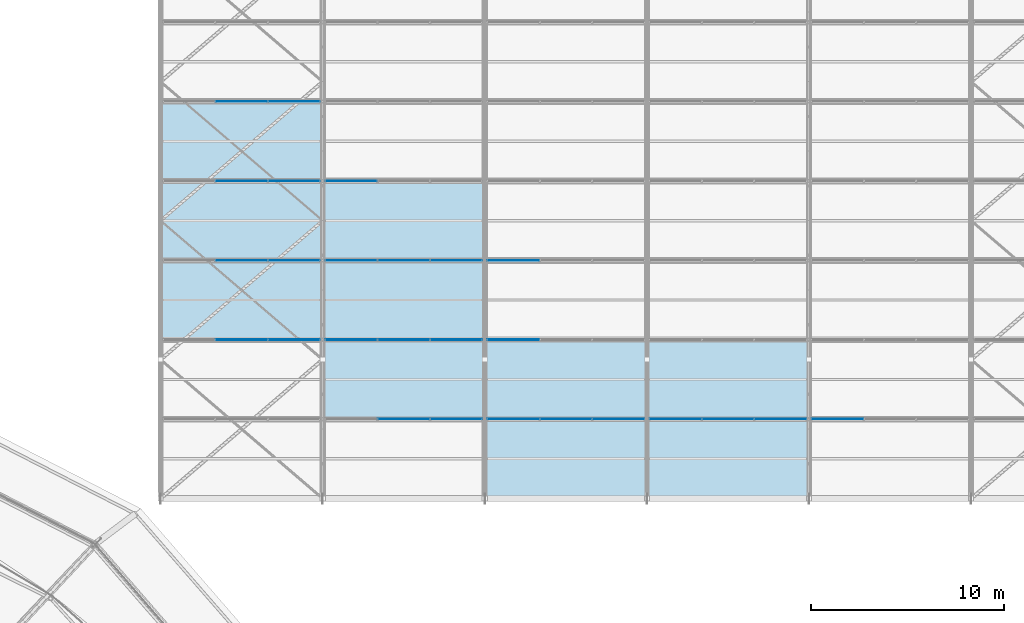
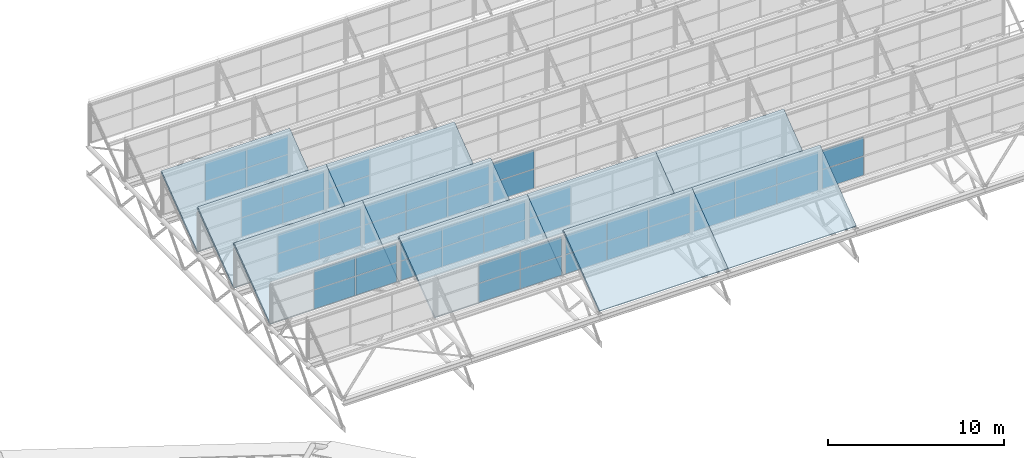
# One storey, part 106 of 134: 52 plates, 10 slabs, 13 elements without a shape of their own.
"""IFC4 building model written with IfcOpenShell, lengths in metres."""

import ifcopenshell
import ifcopenshell.guid

model = None  # the IFC model being written
_history = None  # IfcOwnerHistory: only IFC2X3 demands one
_inside = {}  # id of a spatial element -> (the spatial element, [elements in it])
_under = {}  # id of a project, library or spatial element -> (it, [spatial elements below it])
_declared = {}  # id of a project -> (the project, [libraries it declares])
_typed = {}  # id of a type object -> (the type object, [elements of that type])
_made_of = {}  # id of a material, layer set ... -> (it, [elements and type objects made of it])


def new_model(schema):
    """Start an empty IFC model of exactly this schema.

    Asked for "IFC4X3", IfcOpenShell would pick the latest addendum, in which some entities
    have other attributes; the version numbers below select the first issue.
    IFC2X3 requires an IfcOwnerHistory on every rooted entity: one is made here for all.
    """
    global model, _history
    if schema == "IFC4X3":
        model = ifcopenshell.file(schema_version=(4, 3, 0, 0))
    else:
        model = ifcopenshell.file(schema=schema)
    _inside.clear()
    _under.clear()
    _declared.clear()
    _typed.clear()
    _made_of.clear()
    _history = None
    if model.schema == "IFC2X3":
        org = make("IfcOrganization", Name="unknown")
        user = make(
            "IfcPersonAndOrganization",
            ThePerson=make("IfcPerson", FamilyName="unknown"),
            TheOrganization=org,
        )
        app = make(
            "IfcApplication",
            ApplicationDeveloper=org,
            Version="unknown",
            ApplicationFullName="unknown",
            ApplicationIdentifier="unknown",
        )
        _history = make(
            "IfcOwnerHistory",
            OwningUser=user,
            OwningApplication=app,
            ChangeAction="ADDED",
            CreationDate=0,
        )
    return model


def make(cls, **values):
    """One entity of the class cls with the attributes given. An attribute that is None is left unset."""
    return model.create_entity(
        cls, **{name: value for name, value in values.items() if value is not None}
    )


def rooted(cls, **values):
    """An entity with a GlobalId (a new one), such as an element, a storey or a relation."""
    return make(cls, GlobalId=ifcopenshell.guid.new(), OwnerHistory=_history, **values)


def si_unit(unit_type, name, prefix=None):
    """IfcSIUnit, for example si_unit("LENGTHUNIT", "METRE", prefix="MILLI")."""
    return make("IfcSIUnit", UnitType=unit_type, Prefix=prefix, Name=name)


def derived_unit(unit_type, elements):
    """IfcDerivedUnit: a product of units, each with its exponent."""
    return make(
        "IfcDerivedUnit",
        Elements=[
            make("IfcDerivedUnitElement", Unit=unit, Exponent=power)
            for unit, power in elements
        ],
        UnitType=unit_type,
    )


def assignment(units):
    """IfcUnitAssignment: the units of a project."""
    return None if units is None else make("IfcUnitAssignment", Units=units)


def point(xyz):
    """IfcCartesianPoint."""
    return None if xyz is None else make("IfcCartesianPoint", Coordinates=xyz)


def direction(xyz):
    """IfcDirection."""
    return None if xyz is None else make("IfcDirection", DirectionRatios=xyz)


def frame(location, z_axis=None, x_axis=None):
    """IfcAxis2Placement3D, a coordinate frame: its origin and axes. An axis left out is left unset."""
    return make(
        "IfcAxis2Placement3D",
        Location=point(location),
        Axis=direction(z_axis),
        RefDirection=direction(x_axis),
    )


def frame_2d(location, x_axis=None):
    """IfcAxis2Placement2D, a coordinate frame in the plane: its origin and x axis."""
    return make(
        "IfcAxis2Placement2D", Location=point(location), RefDirection=direction(x_axis)
    )


def origin():
    """The frame at (0, 0, 0) with its axes left unset."""
    return frame((0.0, 0.0, 0.0))


def origin_2d():
    """The frame at (0, 0) in the plane with its x axis left unset."""
    return frame_2d((0.0, 0.0))


def place(relative_to, where):
    """IfcLocalPlacement: puts the frame where relative to a parent placement (None: the world)."""
    return make(
        "IfcLocalPlacement", PlacementRelTo=relative_to, RelativePlacement=where
    )


def context(
    kind, dimensions, precision=None, world=None, true_north=None, identifier=None
):
    """IfcGeometricRepresentationContext, for example the 3D "Model" context."""
    return make(
        "IfcGeometricRepresentationContext",
        ContextIdentifier=identifier,
        ContextType=kind,
        CoordinateSpaceDimension=dimensions,
        Precision=precision,
        WorldCoordinateSystem=world,
        TrueNorth=true_north,
    )


def subcontext(parent, identifier, kind, view, scale=None):
    """IfcGeometricRepresentationSubContext, for example "Body" below "Model"."""
    return make(
        "IfcGeometricRepresentationSubContext",
        ContextIdentifier=identifier,
        ContextType=kind,
        ParentContext=parent,
        TargetScale=scale,
        TargetView=view,
    )


def project(units=None, contexts=None):
    """IfcProject with its units and contexts."""
    return rooted(
        "IfcProject",
        Name="project",
        RepresentationContexts=contexts,
        UnitsInContext=assignment(units),
    )


def spatial(cls, under=None, at=None, **own):
    """A site, building, storey or space (cls), placed at a placement, below another one or the project."""
    s = rooted(cls, ObjectPlacement=at, **own)
    if under is not None:
        _under.setdefault(under.id(), (under, []))[1].append(s)
    return s


def polyline(points):
    """IfcPolyline through the points."""
    return make("IfcPolyline", Points=[point(p) for p in points])


def profile(cls, at=None, kind="AREA", **sizes):
    """A parametric profile (cls). Its sizes go by their IFC names, for example OverallWidth=200.0."""
    return make(cls, ProfileType=kind, Position=at, **sizes)


def rectangle(**sizes):
    """IfcRectangleProfileDef."""
    return profile("IfcRectangleProfileDef", **sizes)


def outline(outer, holes=None, kind="AREA"):
    """IfcArbitraryClosedProfileDef: a profile drawn as a closed curve; with holes, ...WithVoids."""
    if holes is None:
        return make("IfcArbitraryClosedProfileDef", ProfileType=kind, OuterCurve=outer)
    return make(
        "IfcArbitraryProfileDefWithVoids",
        ProfileType=kind,
        OuterCurve=outer,
        InnerCurves=holes,
    )


def extrude(swept, where, along, depth):
    """IfcExtrudedAreaSolid: the profile swept, set in the frame where, extruded along a direction by depth."""
    return make(
        "IfcExtrudedAreaSolid",
        SweptArea=swept,
        Position=where,
        ExtrudedDirection=direction(along),
        Depth=depth,
    )


def shape(context_of_items, identifier, shape_type, items):
    """IfcShapeRepresentation: the items that make up one representation, for example the "Body"."""
    return make(
        "IfcShapeRepresentation",
        ContextOfItems=context_of_items,
        RepresentationIdentifier=identifier,
        RepresentationType=shape_type,
        Items=items,
    )


def material(Name=None, Category=None):
    """IfcMaterial."""
    return make("IfcMaterial", Name=Name, Category=Category)


def layer(
    of_material, thickness, ventilated=None, Name=None, Category=None, Priority=None
):
    """IfcMaterialLayer: one layer of a wall or slab, of a material (None: an air gap)."""
    return make(
        "IfcMaterialLayer",
        Material=of_material,
        LayerThickness=thickness,
        IsVentilated=ventilated,
        Name=Name,
        Category=Category,
        Priority=Priority,
    )


def layer_set(layers, Name=None):
    """IfcMaterialLayerSet."""
    return make("IfcMaterialLayerSet", MaterialLayers=layers, LayerSetName=Name)


def made_of(thing, what):
    """Note that an element or type object is made of a material, layer set ...; save() writes the relation."""
    if what is not None:
        _made_of.setdefault(what.id(), (what, []))[1].append(thing)
    return thing


def type_object(cls, material=None, **own):
    """A type object (cls), such as IfcWallType, which elements share."""
    return made_of(rooted(cls, **own), material)


def element(
    cls,
    number,
    at=None,
    inside=None,
    cuts=None,
    type_object=None,
    material=None,
    context=None,
    identifier="Body",
    shape_type=None,
    held_by="IfcProductDefinitionShape",
    body=None,
    shapes=None,
    **own,
):
    """One element of the class cls, such as IfcWall. Its Tag is "e" and its number.

    at: its placement. inside: the storey or other place that contains it. cuts: it is an
    opening in that element (IfcRelVoidsElement). A single representation is given by context,
    identifier, shape_type and body (its items); several are given by shapes. held_by: the class
    of the entity that holds the representations. save() writes the other relations.
    """
    e = rooted(cls, Tag="e%d" % number, ObjectPlacement=at, **own)
    if body is not None:
        shapes = [shape(context, identifier, shape_type, body)]
    if shapes is not None:
        e.Representation = make(held_by, Representations=shapes)
    if inside is not None:
        _inside.setdefault(inside.id(), (inside, []))[1].append(e)
    if cuts is not None:
        rooted(
            "IfcRelVoidsElement", RelatingBuildingElement=cuts, RelatedOpeningElement=e
        )
    if type_object is not None:
        _typed.setdefault(type_object.id(), (type_object, []))[1].append(e)
    return made_of(e, material)


def aggregate(whole, parts):
    """IfcRelAggregates: a whole, such as a stair, and the parts it consists of."""
    return rooted("IfcRelAggregates", RelatingObject=whole, RelatedObjects=parts)


def save(model, path):
    """Write the relations noted so far, then the file.

    IfcRelAggregates (storeys below a building ...), IfcRelContainedInSpatialStructure (elements
    in a storey), IfcRelDefinesByType, IfcRelAssociatesMaterial and IfcRelDeclares: one each for
    every whole, place, type object, material and project.
    """
    for whole, parts in _under.values():
        aggregate(whole, parts)
    for where, things in _inside.values():
        rooted(
            "IfcRelContainedInSpatialStructure",
            RelatedElements=things,
            RelatingStructure=where,
        )
    for kind, things in _typed.values():
        rooted("IfcRelDefinesByType", RelatedObjects=things, RelatingType=kind)
    for what, things in _made_of.values():
        rooted("IfcRelAssociatesMaterial", RelatedObjects=things, RelatingMaterial=what)
    for by, libraries in _declared.values():
        rooted("IfcRelDeclares", RelatingContext=by, RelatedDefinitions=libraries)
    model.write(path)


model = new_model("IFC4")

# Units and contexts
model_context = context("Model", 3, precision=1e-05, world=origin(), true_north=direction((0.0, 1.0)))
body_context = subcontext(model_context, "Body", "Model", "MODEL_VIEW")
ifc_project = project(units=[si_unit("LENGTHUNIT", "METRE"), si_unit("AREAUNIT", "SQUARE_METRE"), si_unit("VOLUMEUNIT", "CUBIC_METRE"), si_unit("PLANEANGLEUNIT", "RADIAN"), si_unit("MASSUNIT", "GRAM", prefix="KILO"), derived_unit("THERMALTRANSMITTANCEUNIT", [(si_unit("MASSUNIT", "GRAM", prefix="KILO"), 1), (si_unit("TIMEUNIT", "SECOND"), -3), (si_unit("THERMODYNAMICTEMPERATUREUNIT", "KELVIN"), -1)])], contexts=[model_context])

# Site, building, storey
site_placement = place(None, origin())
site = spatial("IfcSite", under=ifc_project, at=site_placement, CompositionType="ELEMENT")
building_placement = place(site_placement, origin())
building = spatial("IfcBuilding", under=site, at=building_placement, Name="Kharveza Railside Sports Centre", CompositionType="ELEMENT")
storey_placement = place(building_placement, frame((0.0, 0.0, 12.89990234375)))
storey = spatial("IfcBuildingStorey", under=building, at=storey_placement, Name="L03", CompositionType="ELEMENT", Elevation=12.89990234375)

# Curtain wall, plates
ifc_material_1 = material(Name="Low-E solar-control laminated glass", Category="glass")
curtain_wall_type = type_object("IfcCurtainWallType", Name="CW-NL02", PredefinedType="NOTDEFINED", material=ifc_material_1)
curtain_wall_1_placement = place(storey_placement, origin())
curtain_wall_1 = element("IfcCurtainWall", 1, at=curtain_wall_1_placement, inside=storey, type_object=curtain_wall_type, Name="CW-V2NL-1-2", PredefinedType="NOTDEFINED")
ifc_layer_1 = layer(ifc_material_1, 0.033935546875, Name="Low-E solar-control laminated glass")
ifc_layer_set_1 = layer_set([ifc_layer_1], Name="Low-E solar-control laminated glass")
plate_type = type_object("IfcPlateType", Name="PL-CP06", PredefinedType="CURTAIN_PANEL", material=ifc_layer_set_1)
plate_1_placement = place(storey_placement, frame((105.0, 83.314208984375, 2.219970703125), z_axis=(0.0, 0.0, 1.0), x_axis=(1.0, 0.0, 0.0)))
plate_1 = element("IfcPlate", 2, at=plate_1_placement, type_object=plate_type, Name="CW-V2NL-1-2-PN21", PredefinedType="CURTAIN_PANEL", context=body_context, shape_type="SweptSolid", body=[
    extrude(rectangle(XDim=2.679931640625, YDim=0.033935546875, at=origin_2d()), origin(), (0.0, 0.0, 1.0), 1.31005859375),
])
plate_2_placement = place(storey_placement, frame((105.0, 83.314208984375, 3.570068359375), z_axis=(0.0, 0.0, 1.0), x_axis=(1.0, 0.0, 0.0)))
plate_2 = element("IfcPlate", 3, at=plate_2_placement, type_object=plate_type, Name="CW-V2NL-1-2-PN22", PredefinedType="CURTAIN_PANEL", context=body_context, shape_type="SweptSolid", body=[
    extrude(rectangle(XDim=2.679931640625, YDim=0.033935546875, at=origin_2d()), origin(), (0.0, 0.0, 1.0), 1.31005859375),
])
plate_3_placement = place(storey_placement, frame((107.719970703125, 83.314208984375, 2.219970703125), z_axis=(0.0, 0.0, 1.0), x_axis=(1.0, 0.0, 0.0)))
plate_3 = element("IfcPlate", 4, at=plate_3_placement, type_object=plate_type, Name="CW-V2NL-1-2-PN31", PredefinedType="CURTAIN_PANEL", context=body_context, shape_type="SweptSolid", body=[
    extrude(rectangle(XDim=2.679931640625, YDim=0.033935546875, at=origin_2d()), origin(), (0.0, 0.0, 1.0), 1.31005859375),
])
plate_4_placement = place(storey_placement, frame((107.719970703125, 83.314208984375, 3.570068359375), z_axis=(0.0, 0.0, 1.0), x_axis=(1.0, 0.0, 0.0)))
plate_4 = element("IfcPlate", 5, at=plate_4_placement, type_object=plate_type, Name="CW-V2NL-1-2-PN32", PredefinedType="CURTAIN_PANEL", context=body_context, shape_type="SweptSolid", body=[
    extrude(rectangle(XDim=2.679931640625, YDim=0.033935546875, at=origin_2d()), origin(), (0.0, 0.0, 1.0), 1.31005859375),
])
aggregate(curtain_wall_1, [plate_1, plate_2, plate_3, plate_4])

curtain_wall_2_placement = place(storey_placement, origin())
curtain_wall_2 = element("IfcCurtainWall", 6, at=curtain_wall_2_placement, inside=storey, type_object=curtain_wall_type, Name="CW-V2NL-1-3", PredefinedType="NOTDEFINED")
plate_5_placement = place(storey_placement, frame((110.679931640625, 83.314208984375, 2.219970703125), z_axis=(0.0, 0.0, 1.0), x_axis=(1.0, 0.0, 0.0)))
plate_5 = element("IfcPlate", 7, at=plate_5_placement, type_object=plate_type, Name="CW-V2NL-1-3-PN11", PredefinedType="CURTAIN_PANEL", context=body_context, shape_type="SweptSolid", body=[
    extrude(rectangle(XDim=2.679931640625, YDim=0.033935546875, at=origin_2d()), origin(), (0.0, 0.0, 1.0), 1.31005859375),
])
plate_6_placement = place(storey_placement, frame((110.679931640625, 83.314208984375, 3.570068359375), z_axis=(0.0, 0.0, 1.0), x_axis=(1.0, 0.0, 0.0)))
plate_6 = element("IfcPlate", 8, at=plate_6_placement, type_object=plate_type, Name="CW-V2NL-1-3-PN12", PredefinedType="CURTAIN_PANEL", context=body_context, shape_type="SweptSolid", body=[
    extrude(rectangle(XDim=2.679931640625, YDim=0.033935546875, at=origin_2d()), origin(), (0.0, 0.0, 1.0), 1.31005859375),
])
plate_7_placement = place(storey_placement, frame((113.39990234375, 83.314208984375, 2.219970703125), z_axis=(0.0, 0.0, 1.0), x_axis=(1.0, 0.0, 0.0)))
plate_7 = element("IfcPlate", 9, at=plate_7_placement, type_object=plate_type, Name="CW-V2NL-1-3-PN21", PredefinedType="CURTAIN_PANEL", context=body_context, shape_type="SweptSolid", body=[
    extrude(rectangle(XDim=2.679931640625, YDim=0.033935546875, at=origin_2d()), origin(), (0.0, 0.0, 1.0), 1.31005859375),
])
plate_8_placement = place(storey_placement, frame((113.39990234375, 83.314208984375, 3.570068359375), z_axis=(0.0, 0.0, 1.0), x_axis=(1.0, 0.0, 0.0)))
plate_8 = element("IfcPlate", 10, at=plate_8_placement, type_object=plate_type, Name="CW-V2NL-1-3-PN22", PredefinedType="CURTAIN_PANEL", context=body_context, shape_type="SweptSolid", body=[
    extrude(rectangle(XDim=2.679931640625, YDim=0.033935546875, at=origin_2d()), origin(), (0.0, 0.0, 1.0), 1.31005859375),
])
plate_9_placement = place(storey_placement, frame((116.1201171875, 83.314208984375, 2.219970703125), z_axis=(0.0, 0.0, 1.0), x_axis=(1.0, 0.0, 0.0)))
plate_9 = element("IfcPlate", 11, at=plate_9_placement, type_object=plate_type, Name="CW-V2NL-1-3-PN31", PredefinedType="CURTAIN_PANEL", context=body_context, shape_type="SweptSolid", body=[
    extrude(rectangle(XDim=2.679931640625, YDim=0.033935546875, at=origin_2d()), origin(), (0.0, 0.0, 1.0), 1.31005859375),
])
plate_10_placement = place(storey_placement, frame((116.1201171875, 83.314208984375, 3.570068359375), z_axis=(0.0, 0.0, 1.0), x_axis=(1.0, 0.0, 0.0)))
plate_10 = element("IfcPlate", 12, at=plate_10_placement, type_object=plate_type, Name="CW-V2NL-1-3-PN32", PredefinedType="CURTAIN_PANEL", context=body_context, shape_type="SweptSolid", body=[
    extrude(rectangle(XDim=2.679931640625, YDim=0.033935546875, at=origin_2d()), origin(), (0.0, 0.0, 1.0), 1.31005859375),
])
aggregate(curtain_wall_2, [plate_5, plate_6, plate_7, plate_8, plate_9, plate_10])

curtain_wall_3_placement = place(storey_placement, origin())
curtain_wall_3 = element("IfcCurtainWall", 13, at=curtain_wall_3_placement, inside=storey, type_object=curtain_wall_type, Name="CW-V2NL-1-4", PredefinedType="NOTDEFINED")
plate_11_placement = place(storey_placement, frame((119.080078125, 83.314208984375, 2.219970703125), z_axis=(0.0, 0.0, 1.0), x_axis=(1.0, 0.0, 0.0)))
plate_11 = element("IfcPlate", 14, at=plate_11_placement, type_object=plate_type, Name="CW-V2NL-1-4-PN11", PredefinedType="CURTAIN_PANEL", context=body_context, shape_type="SweptSolid", body=[
    extrude(rectangle(XDim=2.679931640625, YDim=0.033935546875, at=origin_2d()), origin(), (0.0, 0.0, 1.0), 1.31005859375),
])
plate_12_placement = place(storey_placement, frame((119.080078125, 83.314208984375, 3.570068359375), z_axis=(0.0, 0.0, 1.0), x_axis=(1.0, 0.0, 0.0)))
plate_12 = element("IfcPlate", 15, at=plate_12_placement, type_object=plate_type, Name="CW-V2NL-1-4-PN12", PredefinedType="CURTAIN_PANEL", context=body_context, shape_type="SweptSolid", body=[
    extrude(rectangle(XDim=2.679931640625, YDim=0.033935546875, at=origin_2d()), origin(), (0.0, 0.0, 1.0), 1.31005859375),
])
plate_13_placement = place(storey_placement, frame((121.800048828125, 83.314208984375, 2.219970703125), z_axis=(0.0, 0.0, 1.0), x_axis=(1.0, 0.0, 0.0)))
plate_13 = element("IfcPlate", 16, at=plate_13_placement, type_object=plate_type, Name="CW-V2NL-1-4-PN21", PredefinedType="CURTAIN_PANEL", context=body_context, shape_type="SweptSolid", body=[
    extrude(rectangle(XDim=2.679931640625, YDim=0.033935546875, at=origin_2d()), origin(), (0.0, 0.0, 1.0), 1.31005859375),
])
plate_14_placement = place(storey_placement, frame((121.800048828125, 83.314208984375, 3.570068359375), z_axis=(0.0, 0.0, 1.0), x_axis=(1.0, 0.0, 0.0)))
plate_14 = element("IfcPlate", 17, at=plate_14_placement, type_object=plate_type, Name="CW-V2NL-1-4-PN22", PredefinedType="CURTAIN_PANEL", context=body_context, shape_type="SweptSolid", body=[
    extrude(rectangle(XDim=2.679931640625, YDim=0.033935546875, at=origin_2d()), origin(), (0.0, 0.0, 1.0), 1.31005859375),
])
plate_15_placement = place(storey_placement, frame((124.52001953125, 83.314208984375, 2.219970703125), z_axis=(0.0, 0.0, 1.0), x_axis=(1.0, 0.0, 0.0)))
plate_15 = element("IfcPlate", 18, at=plate_15_placement, type_object=plate_type, Name="CW-V2NL-1-4-PN31", PredefinedType="CURTAIN_PANEL", context=body_context, shape_type="SweptSolid", body=[
    extrude(rectangle(XDim=2.679931640625, YDim=0.033935546875, at=origin_2d()), origin(), (0.0, 0.0, 1.0), 1.31005859375),
])
plate_16_placement = place(storey_placement, frame((124.52001953125, 83.314208984375, 3.570068359375), z_axis=(0.0, 0.0, 1.0), x_axis=(1.0, 0.0, 0.0)))
plate_16 = element("IfcPlate", 19, at=plate_16_placement, type_object=plate_type, Name="CW-V2NL-1-4-PN32", PredefinedType="CURTAIN_PANEL", context=body_context, shape_type="SweptSolid", body=[
    extrude(rectangle(XDim=2.679931640625, YDim=0.033935546875, at=origin_2d()), origin(), (0.0, 0.0, 1.0), 1.31005859375),
])
aggregate(curtain_wall_3, [plate_11, plate_12, plate_13, plate_14, plate_15, plate_16])

curtain_wall_4_placement = place(storey_placement, origin())
curtain_wall_4 = element("IfcCurtainWall", 20, at=curtain_wall_4_placement, inside=storey, type_object=curtain_wall_type, Name="CW-V2NL-1-5", PredefinedType="NOTDEFINED")
plate_17_placement = place(storey_placement, frame((127.47998046875, 83.314208984375, 2.219970703125), z_axis=(0.0, 0.0, 1.0), x_axis=(1.0, 0.0, 0.0)))
plate_17 = element("IfcPlate", 21, at=plate_17_placement, type_object=plate_type, Name="CW-V2NL-1-5-PN11", PredefinedType="CURTAIN_PANEL", context=body_context, shape_type="SweptSolid", body=[
    extrude(rectangle(XDim=2.679931640625, YDim=0.033935546875, at=origin_2d()), origin(), (0.0, 0.0, 1.0), 1.31005859375),
])
plate_18_placement = place(storey_placement, frame((127.47998046875, 83.314208984375, 3.570068359375), z_axis=(0.0, 0.0, 1.0), x_axis=(1.0, 0.0, 0.0)))
plate_18 = element("IfcPlate", 22, at=plate_18_placement, type_object=plate_type, Name="CW-V2NL-1-5-PN12", PredefinedType="CURTAIN_PANEL", context=body_context, shape_type="SweptSolid", body=[
    extrude(rectangle(XDim=2.679931640625, YDim=0.033935546875, at=origin_2d()), origin(), (0.0, 0.0, 1.0), 1.31005859375),
])
aggregate(curtain_wall_4, [plate_17, plate_18])

curtain_wall_5_placement = place(storey_placement, origin())
curtain_wall_5 = element("IfcCurtainWall", 23, at=curtain_wall_5_placement, inside=storey, type_object=curtain_wall_type, Name="CW-V2NL-2-1", PredefinedType="NOTDEFINED")
plate_19_placement = place(storey_placement, frame((96.60009765625, 87.4287109375, 2.219970703125), z_axis=(0.0, 0.0, 1.0), x_axis=(1.0, 0.0, 0.0)))
plate_19 = element("IfcPlate", 24, at=plate_19_placement, type_object=plate_type, Name="CW-V2NL-2-1-PN21", PredefinedType="CURTAIN_PANEL", context=body_context, shape_type="SweptSolid", body=[
    extrude(rectangle(XDim=2.679931640625, YDim=0.033935546875, at=origin_2d()), origin(), (0.0, 0.0, 1.0), 1.31005859375),
])
plate_20_placement = place(storey_placement, frame((96.60009765625, 87.4287109375, 3.570068359375), z_axis=(0.0, 0.0, 1.0), x_axis=(1.0, 0.0, 0.0)))
plate_20 = element("IfcPlate", 25, at=plate_20_placement, type_object=plate_type, Name="CW-V2NL-2-1-PN22", PredefinedType="CURTAIN_PANEL", context=body_context, shape_type="SweptSolid", body=[
    extrude(rectangle(XDim=2.679931640625, YDim=0.033935546875, at=origin_2d()), origin(), (0.0, 0.0, 1.0), 1.31005859375),
])
plate_21_placement = place(storey_placement, frame((99.320068359375, 87.4287109375, 2.219970703125), z_axis=(0.0, 0.0, 1.0), x_axis=(1.0, 0.0, 0.0)))
plate_21 = element("IfcPlate", 26, at=plate_21_placement, type_object=plate_type, Name="CW-V2NL-2-1-PN31", PredefinedType="CURTAIN_PANEL", context=body_context, shape_type="SweptSolid", body=[
    extrude(rectangle(XDim=2.679931640625, YDim=0.033935546875, at=origin_2d()), origin(), (0.0, 0.0, 1.0), 1.31005859375),
])
plate_22_placement = place(storey_placement, frame((99.320068359375, 87.4287109375, 3.570068359375), z_axis=(0.0, 0.0, 1.0), x_axis=(1.0, 0.0, 0.0)))
plate_22 = element("IfcPlate", 27, at=plate_22_placement, type_object=plate_type, Name="CW-V2NL-2-1-PN32", PredefinedType="CURTAIN_PANEL", context=body_context, shape_type="SweptSolid", body=[
    extrude(rectangle(XDim=2.679931640625, YDim=0.033935546875, at=origin_2d()), origin(), (0.0, 0.0, 1.0), 1.31005859375),
])
aggregate(curtain_wall_5, [plate_19, plate_20, plate_21, plate_22])

curtain_wall_6_placement = place(storey_placement, origin())
curtain_wall_6 = element("IfcCurtainWall", 28, at=curtain_wall_6_placement, inside=storey, type_object=curtain_wall_type, Name="CW-V2NL-2-2", PredefinedType="NOTDEFINED")
plate_23_placement = place(storey_placement, frame((102.280029296875, 87.4287109375, 2.219970703125), z_axis=(0.0, 0.0, 1.0), x_axis=(1.0, 0.0, 0.0)))
plate_23 = element("IfcPlate", 29, at=plate_23_placement, type_object=plate_type, Name="CW-V2NL-2-2-PN11", PredefinedType="CURTAIN_PANEL", context=body_context, shape_type="SweptSolid", body=[
    extrude(rectangle(XDim=2.679931640625, YDim=0.033935546875, at=origin_2d()), origin(), (0.0, 0.0, 1.0), 1.31005859375),
])
plate_24_placement = place(storey_placement, frame((102.280029296875, 87.4287109375, 3.570068359375), z_axis=(0.0, 0.0, 1.0), x_axis=(1.0, 0.0, 0.0)))
plate_24 = element("IfcPlate", 30, at=plate_24_placement, type_object=plate_type, Name="CW-V2NL-2-2-PN12", PredefinedType="CURTAIN_PANEL", context=body_context, shape_type="SweptSolid", body=[
    extrude(rectangle(XDim=2.679931640625, YDim=0.033935546875, at=origin_2d()), origin(), (0.0, 0.0, 1.0), 1.31005859375),
])
plate_25_placement = place(storey_placement, frame((105.0, 87.4287109375, 2.219970703125), z_axis=(0.0, 0.0, 1.0), x_axis=(1.0, 0.0, 0.0)))
plate_25 = element("IfcPlate", 31, at=plate_25_placement, type_object=plate_type, Name="CW-V2NL-2-2-PN21", PredefinedType="CURTAIN_PANEL", context=body_context, shape_type="SweptSolid", body=[
    extrude(rectangle(XDim=2.679931640625, YDim=0.033935546875, at=origin_2d()), origin(), (0.0, 0.0, 1.0), 1.31005859375),
])
plate_26_placement = place(storey_placement, frame((105.0, 87.4287109375, 3.570068359375), z_axis=(0.0, 0.0, 1.0), x_axis=(1.0, 0.0, 0.0)))
plate_26 = element("IfcPlate", 32, at=plate_26_placement, type_object=plate_type, Name="CW-V2NL-2-2-PN22", PredefinedType="CURTAIN_PANEL", context=body_context, shape_type="SweptSolid", body=[
    extrude(rectangle(XDim=2.679931640625, YDim=0.033935546875, at=origin_2d()), origin(), (0.0, 0.0, 1.0), 1.31005859375),
])
plate_27_placement = place(storey_placement, frame((107.719970703125, 87.4287109375, 2.219970703125), z_axis=(0.0, 0.0, 1.0), x_axis=(1.0, 0.0, 0.0)))
plate_27 = element("IfcPlate", 33, at=plate_27_placement, type_object=plate_type, Name="CW-V2NL-2-2-PN31", PredefinedType="CURTAIN_PANEL", context=body_context, shape_type="SweptSolid", body=[
    extrude(rectangle(XDim=2.679931640625, YDim=0.033935546875, at=origin_2d()), origin(), (0.0, 0.0, 1.0), 1.31005859375),
])
plate_28_placement = place(storey_placement, frame((107.719970703125, 87.4287109375, 3.570068359375), z_axis=(0.0, 0.0, 1.0), x_axis=(1.0, 0.0, 0.0)))
plate_28 = element("IfcPlate", 34, at=plate_28_placement, type_object=plate_type, Name="CW-V2NL-2-2-PN32", PredefinedType="CURTAIN_PANEL", context=body_context, shape_type="SweptSolid", body=[
    extrude(rectangle(XDim=2.679931640625, YDim=0.033935546875, at=origin_2d()), origin(), (0.0, 0.0, 1.0), 1.31005859375),
])
aggregate(curtain_wall_6, [plate_23, plate_24, plate_25, plate_26, plate_27, plate_28])

curtain_wall_7_placement = place(storey_placement, origin())
curtain_wall_7 = element("IfcCurtainWall", 35, at=curtain_wall_7_placement, inside=storey, type_object=curtain_wall_type, Name="CW-V2NL-2-3", PredefinedType="NOTDEFINED")
plate_29_placement = place(storey_placement, frame((110.679931640625, 87.4287109375, 2.219970703125), z_axis=(0.0, 0.0, 1.0), x_axis=(1.0, 0.0, 0.0)))
plate_29 = element("IfcPlate", 36, at=plate_29_placement, type_object=plate_type, Name="CW-V2NL-2-3-PN11", PredefinedType="CURTAIN_PANEL", context=body_context, shape_type="SweptSolid", body=[
    extrude(rectangle(XDim=2.679931640625, YDim=0.033935546875, at=origin_2d()), origin(), (0.0, 0.0, 1.0), 1.31005859375),
])
plate_30_placement = place(storey_placement, frame((110.679931640625, 87.4287109375, 3.570068359375), z_axis=(0.0, 0.0, 1.0), x_axis=(1.0, 0.0, 0.0)))
plate_30 = element("IfcPlate", 37, at=plate_30_placement, type_object=plate_type, Name="CW-V2NL-2-3-PN12", PredefinedType="CURTAIN_PANEL", context=body_context, shape_type="SweptSolid", body=[
    extrude(rectangle(XDim=2.679931640625, YDim=0.033935546875, at=origin_2d()), origin(), (0.0, 0.0, 1.0), 1.31005859375),
])
aggregate(curtain_wall_7, [plate_29, plate_30])

curtain_wall_8_placement = place(storey_placement, origin())
curtain_wall_8 = element("IfcCurtainWall", 38, at=curtain_wall_8_placement, inside=storey, type_object=curtain_wall_type, Name="CW-V2NL-3-1", PredefinedType="NOTDEFINED")
plate_31_placement = place(storey_placement, frame((96.60009765625, 91.54296875, 2.219970703125), z_axis=(0.0, 0.0, 1.0), x_axis=(1.0, 0.0, 0.0)))
plate_31 = element("IfcPlate", 39, at=plate_31_placement, type_object=plate_type, Name="CW-V2NL-3-1-PN21", PredefinedType="CURTAIN_PANEL", context=body_context, shape_type="SweptSolid", body=[
    extrude(rectangle(XDim=2.679931640625, YDim=0.033935546875, at=origin_2d()), origin(), (0.0, 0.0, 1.0), 1.31005859375),
])
plate_32_placement = place(storey_placement, frame((96.60009765625, 91.54296875, 3.570068359375), z_axis=(0.0, 0.0, 1.0), x_axis=(1.0, 0.0, 0.0)))
plate_32 = element("IfcPlate", 40, at=plate_32_placement, type_object=plate_type, Name="CW-V2NL-3-1-PN22", PredefinedType="CURTAIN_PANEL", context=body_context, shape_type="SweptSolid", body=[
    extrude(rectangle(XDim=2.679931640625, YDim=0.033935546875, at=origin_2d()), origin(), (0.0, 0.0, 1.0), 1.31005859375),
])
plate_33_placement = place(storey_placement, frame((99.320068359375, 91.54296875, 2.219970703125), z_axis=(0.0, 0.0, 1.0), x_axis=(1.0, 0.0, 0.0)))
plate_33 = element("IfcPlate", 41, at=plate_33_placement, type_object=plate_type, Name="CW-V2NL-3-1-PN31", PredefinedType="CURTAIN_PANEL", context=body_context, shape_type="SweptSolid", body=[
    extrude(rectangle(XDim=2.679931640625, YDim=0.033935546875, at=origin_2d()), origin(), (0.0, 0.0, 1.0), 1.31005859375),
])
plate_34_placement = place(storey_placement, frame((99.320068359375, 91.54296875, 3.570068359375), z_axis=(0.0, 0.0, 1.0), x_axis=(1.0, 0.0, 0.0)))
plate_34 = element("IfcPlate", 42, at=plate_34_placement, type_object=plate_type, Name="CW-V2NL-3-1-PN32", PredefinedType="CURTAIN_PANEL", context=body_context, shape_type="SweptSolid", body=[
    extrude(rectangle(XDim=2.679931640625, YDim=0.033935546875, at=origin_2d()), origin(), (0.0, 0.0, 1.0), 1.31005859375),
])
aggregate(curtain_wall_8, [plate_31, plate_32, plate_33, plate_34])

curtain_wall_9_placement = place(storey_placement, origin())
curtain_wall_9 = element("IfcCurtainWall", 43, at=curtain_wall_9_placement, inside=storey, type_object=curtain_wall_type, Name="CW-V2NL-3-2", PredefinedType="NOTDEFINED")
plate_35_placement = place(storey_placement, frame((102.280029296875, 91.54296875, 2.219970703125), z_axis=(0.0, 0.0, 1.0), x_axis=(1.0, 0.0, 0.0)))
plate_35 = element("IfcPlate", 44, at=plate_35_placement, type_object=plate_type, Name="CW-V2NL-3-2-PN11", PredefinedType="CURTAIN_PANEL", context=body_context, shape_type="SweptSolid", body=[
    extrude(rectangle(XDim=2.679931640625, YDim=0.033935546875, at=origin_2d()), origin(), (0.0, 0.0, 1.0), 1.31005859375),
])
plate_36_placement = place(storey_placement, frame((102.280029296875, 91.54296875, 3.570068359375), z_axis=(0.0, 0.0, 1.0), x_axis=(1.0, 0.0, 0.0)))
plate_36 = element("IfcPlate", 45, at=plate_36_placement, type_object=plate_type, Name="CW-V2NL-3-2-PN12", PredefinedType="CURTAIN_PANEL", context=body_context, shape_type="SweptSolid", body=[
    extrude(rectangle(XDim=2.679931640625, YDim=0.033935546875, at=origin_2d()), origin(), (0.0, 0.0, 1.0), 1.31005859375),
])
plate_37_placement = place(storey_placement, frame((105.0, 91.54296875, 2.219970703125), z_axis=(0.0, 0.0, 1.0), x_axis=(1.0, 0.0, 0.0)))
plate_37 = element("IfcPlate", 46, at=plate_37_placement, type_object=plate_type, Name="CW-V2NL-3-2-PN21", PredefinedType="CURTAIN_PANEL", context=body_context, shape_type="SweptSolid", body=[
    extrude(rectangle(XDim=2.679931640625, YDim=0.033935546875, at=origin_2d()), origin(), (0.0, 0.0, 1.0), 1.31005859375),
])
plate_38_placement = place(storey_placement, frame((105.0, 91.54296875, 3.570068359375), z_axis=(0.0, 0.0, 1.0), x_axis=(1.0, 0.0, 0.0)))
plate_38 = element("IfcPlate", 47, at=plate_38_placement, type_object=plate_type, Name="CW-V2NL-3-2-PN22", PredefinedType="CURTAIN_PANEL", context=body_context, shape_type="SweptSolid", body=[
    extrude(rectangle(XDim=2.679931640625, YDim=0.033935546875, at=origin_2d()), origin(), (0.0, 0.0, 1.0), 1.31005859375),
])
plate_39_placement = place(storey_placement, frame((107.719970703125, 91.54296875, 2.219970703125), z_axis=(0.0, 0.0, 1.0), x_axis=(1.0, 0.0, 0.0)))
plate_39 = element("IfcPlate", 48, at=plate_39_placement, type_object=plate_type, Name="CW-V2NL-3-2-PN31", PredefinedType="CURTAIN_PANEL", context=body_context, shape_type="SweptSolid", body=[
    extrude(rectangle(XDim=2.679931640625, YDim=0.033935546875, at=origin_2d()), origin(), (0.0, 0.0, 1.0), 1.31005859375),
])
plate_40_placement = place(storey_placement, frame((107.719970703125, 91.54296875, 3.570068359375), z_axis=(0.0, 0.0, 1.0), x_axis=(1.0, 0.0, 0.0)))
plate_40 = element("IfcPlate", 49, at=plate_40_placement, type_object=plate_type, Name="CW-V2NL-3-2-PN32", PredefinedType="CURTAIN_PANEL", context=body_context, shape_type="SweptSolid", body=[
    extrude(rectangle(XDim=2.679931640625, YDim=0.033935546875, at=origin_2d()), origin(), (0.0, 0.0, 1.0), 1.31005859375),
])
aggregate(curtain_wall_9, [plate_35, plate_36, plate_37, plate_38, plate_39, plate_40])

curtain_wall_10_placement = place(storey_placement, origin())
curtain_wall_10 = element("IfcCurtainWall", 50, at=curtain_wall_10_placement, inside=storey, type_object=curtain_wall_type, Name="CW-V2NL-3-3", PredefinedType="NOTDEFINED")
plate_41_placement = place(storey_placement, frame((110.679931640625, 91.54296875, 2.219970703125), z_axis=(0.0, 0.0, 1.0), x_axis=(1.0, 0.0, 0.0)))
plate_41 = element("IfcPlate", 51, at=plate_41_placement, type_object=plate_type, Name="CW-V2NL-3-3-PN11", PredefinedType="CURTAIN_PANEL", context=body_context, shape_type="SweptSolid", body=[
    extrude(rectangle(XDim=2.679931640625, YDim=0.033935546875, at=origin_2d()), origin(), (0.0, 0.0, 1.0), 1.31005859375),
])
plate_42_placement = place(storey_placement, frame((110.679931640625, 91.54296875, 3.570068359375), z_axis=(0.0, 0.0, 1.0), x_axis=(1.0, 0.0, 0.0)))
plate_42 = element("IfcPlate", 52, at=plate_42_placement, type_object=plate_type, Name="CW-V2NL-3-3-PN12", PredefinedType="CURTAIN_PANEL", context=body_context, shape_type="SweptSolid", body=[
    extrude(rectangle(XDim=2.679931640625, YDim=0.033935546875, at=origin_2d()), origin(), (0.0, 0.0, 1.0), 1.31005859375),
])
aggregate(curtain_wall_10, [plate_41, plate_42])

curtain_wall_11_placement = place(storey_placement, origin())
curtain_wall_11 = element("IfcCurtainWall", 53, at=curtain_wall_11_placement, inside=storey, type_object=curtain_wall_type, Name="CW-V2NL-4-1", PredefinedType="NOTDEFINED")
plate_43_placement = place(storey_placement, frame((96.60009765625, 95.656982421875, 2.219970703125), z_axis=(0.0, 0.0, 1.0), x_axis=(1.0, 0.0, 0.0)))
plate_43 = element("IfcPlate", 54, at=plate_43_placement, type_object=plate_type, Name="CW-V2NL-4-1-PN21", PredefinedType="CURTAIN_PANEL", context=body_context, shape_type="SweptSolid", body=[
    extrude(rectangle(XDim=2.679931640625, YDim=0.033935546875, at=origin_2d()), origin(), (0.0, 0.0, 1.0), 1.31005859375),
])
plate_44_placement = place(storey_placement, frame((96.60009765625, 95.656982421875, 3.570068359375), z_axis=(0.0, 0.0, 1.0), x_axis=(1.0, 0.0, 0.0)))
plate_44 = element("IfcPlate", 55, at=plate_44_placement, type_object=plate_type, Name="CW-V2NL-4-1-PN22", PredefinedType="CURTAIN_PANEL", context=body_context, shape_type="SweptSolid", body=[
    extrude(rectangle(XDim=2.679931640625, YDim=0.033935546875, at=origin_2d()), origin(), (0.0, 0.0, 1.0), 1.31005859375),
])
plate_45_placement = place(storey_placement, frame((99.320068359375, 95.656982421875, 2.219970703125), z_axis=(0.0, 0.0, 1.0), x_axis=(1.0, 0.0, 0.0)))
plate_45 = element("IfcPlate", 56, at=plate_45_placement, type_object=plate_type, Name="CW-V2NL-4-1-PN31", PredefinedType="CURTAIN_PANEL", context=body_context, shape_type="SweptSolid", body=[
    extrude(rectangle(XDim=2.679931640625, YDim=0.033935546875, at=origin_2d()), origin(), (0.0, 0.0, 1.0), 1.31005859375),
])
plate_46_placement = place(storey_placement, frame((99.320068359375, 95.656982421875, 3.570068359375), z_axis=(0.0, 0.0, 1.0), x_axis=(1.0, 0.0, 0.0)))
plate_46 = element("IfcPlate", 57, at=plate_46_placement, type_object=plate_type, Name="CW-V2NL-4-1-PN32", PredefinedType="CURTAIN_PANEL", context=body_context, shape_type="SweptSolid", body=[
    extrude(rectangle(XDim=2.679931640625, YDim=0.033935546875, at=origin_2d()), origin(), (0.0, 0.0, 1.0), 1.31005859375),
])
aggregate(curtain_wall_11, [plate_43, plate_44, plate_45, plate_46])

curtain_wall_12_placement = place(storey_placement, origin())
curtain_wall_12 = element("IfcCurtainWall", 58, at=curtain_wall_12_placement, inside=storey, type_object=curtain_wall_type, Name="CW-V2NL-4-2", PredefinedType="NOTDEFINED")
plate_47_placement = place(storey_placement, frame((102.280029296875, 95.656982421875, 2.219970703125), z_axis=(0.0, 0.0, 1.0), x_axis=(1.0, 0.0, 0.0)))
plate_47 = element("IfcPlate", 59, at=plate_47_placement, type_object=plate_type, Name="CW-V2NL-4-2-PN11", PredefinedType="CURTAIN_PANEL", context=body_context, shape_type="SweptSolid", body=[
    extrude(rectangle(XDim=2.679931640625, YDim=0.033935546875, at=origin_2d()), origin(), (0.0, 0.0, 1.0), 1.31005859375),
])
plate_48_placement = place(storey_placement, frame((102.280029296875, 95.656982421875, 3.570068359375), z_axis=(0.0, 0.0, 1.0), x_axis=(1.0, 0.0, 0.0)))
plate_48 = element("IfcPlate", 60, at=plate_48_placement, type_object=plate_type, Name="CW-V2NL-4-2-PN12", PredefinedType="CURTAIN_PANEL", context=body_context, shape_type="SweptSolid", body=[
    extrude(rectangle(XDim=2.679931640625, YDim=0.033935546875, at=origin_2d()), origin(), (0.0, 0.0, 1.0), 1.31005859375),
])
aggregate(curtain_wall_12, [plate_47, plate_48])

curtain_wall_13_placement = place(storey_placement, origin())
curtain_wall_13 = element("IfcCurtainWall", 61, at=curtain_wall_13_placement, inside=storey, type_object=curtain_wall_type, Name="CW-V2NL-5-1", PredefinedType="NOTDEFINED")
plate_49_placement = place(storey_placement, frame((96.60009765625, 99.771484375, 2.219970703125), z_axis=(0.0, 0.0, 1.0), x_axis=(1.0, 0.0, 0.0)))
plate_49 = element("IfcPlate", 62, at=plate_49_placement, type_object=plate_type, Name="CW-V2NL-5-1-PN21", PredefinedType="CURTAIN_PANEL", context=body_context, shape_type="SweptSolid", body=[
    extrude(rectangle(XDim=2.679931640625, YDim=0.033935546875, at=origin_2d()), origin(), (0.0, 0.0, 1.0), 1.31005859375),
])
plate_50_placement = place(storey_placement, frame((96.60009765625, 99.771484375, 3.570068359375), z_axis=(0.0, 0.0, 1.0), x_axis=(1.0, 0.0, 0.0)))
plate_50 = element("IfcPlate", 63, at=plate_50_placement, type_object=plate_type, Name="CW-V2NL-5-1-PN22", PredefinedType="CURTAIN_PANEL", context=body_context, shape_type="SweptSolid", body=[
    extrude(rectangle(XDim=2.679931640625, YDim=0.033935546875, at=origin_2d()), origin(), (0.0, 0.0, 1.0), 1.31005859375),
])
plate_51_placement = place(storey_placement, frame((99.320068359375, 99.771484375, 2.219970703125), z_axis=(0.0, 0.0, 1.0), x_axis=(1.0, 0.0, 0.0)))
plate_51 = element("IfcPlate", 64, at=plate_51_placement, type_object=plate_type, Name="CW-V2NL-5-1-PN31", PredefinedType="CURTAIN_PANEL", context=body_context, shape_type="SweptSolid", body=[
    extrude(rectangle(XDim=2.679931640625, YDim=0.033935546875, at=origin_2d()), origin(), (0.0, 0.0, 1.0), 1.31005859375),
])
plate_52_placement = place(storey_placement, frame((99.320068359375, 99.771484375, 3.570068359375), z_axis=(0.0, 0.0, 1.0), x_axis=(1.0, 0.0, 0.0)))
plate_52 = element("IfcPlate", 65, at=plate_52_placement, type_object=plate_type, Name="CW-V2NL-5-1-PN32", PredefinedType="CURTAIN_PANEL", context=body_context, shape_type="SweptSolid", body=[
    extrude(rectangle(XDim=2.679931640625, YDim=0.033935546875, at=origin_2d()), origin(), (0.0, 0.0, 1.0), 1.31005859375),
])
aggregate(curtain_wall_13, [plate_49, plate_50, plate_51, plate_52])

# Slabs
ifc_material_2 = material(Name="Insulated standing-seam zinc-aluminium roof panel", Category="aluminium")
ifc_layer_2 = layer(ifc_material_2, 0.155029296875, Name="Insulated standing-seam zinc-aluminium roof panel")
ifc_layer_set_2 = layer_set([ifc_layer_2], Name="Insulated standing-seam zinc-aluminium roof panel")
slab_type = type_object("IfcSlabType", Name="SL-RF155", PredefinedType="ROOF", material=ifc_layer_set_2)
slab_1_placement = place(storey_placement, frame((109.199951171875, 79.199951171875, 2.2001953125), z_axis=(0.0, -0.601757803356, 0.798678625042), x_axis=(1.0, 0.0, 0.0)))
element("IfcSlab", 66, at=slab_1_placement, inside=storey, type_object=slab_type, Name="Training Hall Sawtooth Roof Bay 1-3", PredefinedType="ROOF", context=body_context, shape_type="SweptSolid", body=[
    extrude(outline(polyline([(0.0, 0.0), (8.400146484375, 0.0), (8.400146484375, 5.151330815046725), (0.0, 5.151330815046725), (0.0, 0.0)])), origin(), (0.0, 0.0, -1.0), 0.155029296875),
])
slab_2_placement = place(storey_placement, frame((117.60009765625, 79.199951171875, 2.2001953125), z_axis=(0.0, -0.601757803356, 0.798678625042), x_axis=(1.0, 0.0, 0.0)))
element("IfcSlab", 67, at=slab_2_placement, inside=storey, type_object=slab_type, Name="Training Hall Sawtooth Roof Bay 1-4", PredefinedType="ROOF", context=body_context, shape_type="SweptSolid", body=[
    extrude(outline(polyline([(0.0, 0.0), (8.39990234375, 0.0), (8.39990234375, 5.151330815046725), (0.0, 5.151330815046725), (0.0, 0.0)])), origin(), (0.0, 0.0, -1.0), 0.155029296875),
])
slab_3_placement = place(storey_placement, frame((100.800048828125, 83.314208984375, 2.2001953125), z_axis=(0.0, -0.601735026036, 0.798695785917), x_axis=(1.0, 0.0, 0.0)))
element("IfcSlab", 68, at=slab_3_placement, inside=storey, type_object=slab_type, Name="Training Hall Sawtooth Roof Bay 2-2", PredefinedType="ROOF", context=body_context, shape_type="SweptSolid", body=[
    extrude(outline(polyline([(0.0, 0.0), (8.39990234375, 0.0), (8.39990234375, 5.15152580704029), (0.0, 5.15152580704029), (0.0, 0.0)])), origin(), (0.0, 0.0, -1.0), 0.155029296875),
])
slab_4_placement = place(storey_placement, frame((109.199951171875, 83.314208984375, 2.2001953125), z_axis=(0.0, -0.601735026036, 0.798695785917), x_axis=(1.0, 0.0, 0.0)))
element("IfcSlab", 69, at=slab_4_placement, inside=storey, type_object=slab_type, Name="Training Hall Sawtooth Roof Bay 2-3", PredefinedType="ROOF", context=body_context, shape_type="SweptSolid", body=[
    extrude(outline(polyline([(0.0, 0.0), (8.400146484375, 0.0), (8.400146484375, 5.15152580704029), (0.0, 5.15152580704029), (0.0, 0.0)])), origin(), (0.0, 0.0, -1.0), 0.155029296875),
])
slab_5_placement = place(storey_placement, frame((117.60009765625, 83.314208984375, 2.2001953125), z_axis=(0.0, -0.601735026036, 0.798695785917), x_axis=(1.0, 0.0, 0.0)))
element("IfcSlab", 70, at=slab_5_placement, inside=storey, type_object=slab_type, Name="Training Hall Sawtooth Roof Bay 2-4", PredefinedType="ROOF", context=body_context, shape_type="SweptSolid", body=[
    extrude(outline(polyline([(0.0, 0.0), (8.39990234375, 0.0), (8.39990234375, 5.15152580704029), (0.0, 5.15152580704029), (0.0, 0.0)])), origin(), (0.0, 0.0, -1.0), 0.155029296875),
])
slab_6_placement = place(storey_placement, frame((92.39990234375, 87.4287109375, 2.2001953125), z_axis=(0.0, -0.601757803356, 0.798678625042), x_axis=(1.0, 0.0, 0.0)))
element("IfcSlab", 71, at=slab_6_placement, inside=storey, type_object=slab_type, Name="Training Hall Sawtooth Roof Bay 3-1", PredefinedType="ROOF", context=body_context, shape_type="SweptSolid", body=[
    extrude(outline(polyline([(0.0, 0.0), (8.400146484375, 0.0), (8.400146484375, 5.151330815046725), (0.0, 5.151330815046725), (0.0, 0.0)])), origin(), (0.0, 0.0, -1.0), 0.155029296875),
])
slab_7_placement = place(storey_placement, frame((100.800048828125, 87.4287109375, 2.2001953125), z_axis=(0.0, -0.601757803356, 0.798678625042), x_axis=(1.0, 0.0, 0.0)))
element("IfcSlab", 72, at=slab_7_placement, inside=storey, type_object=slab_type, Name="Training Hall Sawtooth Roof Bay 3-2", PredefinedType="ROOF", context=body_context, shape_type="SweptSolid", body=[
    extrude(outline(polyline([(0.0, 0.0), (8.39990234375, 0.0), (8.39990234375, 5.151330815046725), (0.0, 5.151330815046725), (0.0, 0.0)])), origin(), (0.0, 0.0, -1.0), 0.155029296875),
])
slab_8_placement = place(storey_placement, frame((92.39990234375, 91.54296875, 2.2001953125), z_axis=(0.0, -0.601780581912, 0.798661462219), x_axis=(1.0, 0.0, 0.0)))
element("IfcSlab", 73, at=slab_8_placement, inside=storey, type_object=slab_type, Name="Training Hall Sawtooth Roof Bay 4-1", PredefinedType="ROOF", context=body_context, shape_type="SweptSolid", body=[
    extrude(outline(polyline([(0.0, 0.0), (8.400146484375, 0.0), (8.400146484375, 5.151135827243065), (0.0, 5.151135827243065), (0.0, 0.0)])), origin(), (0.0, 0.0, -1.0), 0.155029296875),
])
slab_9_placement = place(storey_placement, frame((100.800048828125, 91.54296875, 2.2001953125), z_axis=(0.0, -0.601780581912, 0.798661462219), x_axis=(1.0, 0.0, 0.0)))
element("IfcSlab", 74, at=slab_9_placement, inside=storey, type_object=slab_type, Name="Training Hall Sawtooth Roof Bay 4-2", PredefinedType="ROOF", context=body_context, shape_type="SweptSolid", body=[
    extrude(outline(polyline([(0.0, 0.0), (8.39990234375, 0.0), (8.39990234375, 5.151135827243065), (0.0, 5.151135827243065), (0.0, 0.0)])), origin(), (0.0, 0.0, -1.0), 0.155029296875),
])
slab_10_placement = place(storey_placement, frame((92.39990234375, 95.656982421875, 2.2001953125), z_axis=(0.0, -0.601735026036, 0.798695785917), x_axis=(1.0, 0.0, 0.0)))
element("IfcSlab", 75, at=slab_10_placement, inside=storey, type_object=slab_type, Name="Training Hall Sawtooth Roof Bay 5-1", PredefinedType="ROOF", context=body_context, shape_type="SweptSolid", body=[
    extrude(outline(polyline([(0.0, 0.0), (8.400146484375, 0.0), (8.400146484375, 5.15152580704029), (0.0, 5.15152580704029), (0.0, 0.0)])), origin(), (0.0, 0.0, -1.0), 0.155029296875),
])

save(model, "model.ifc")
